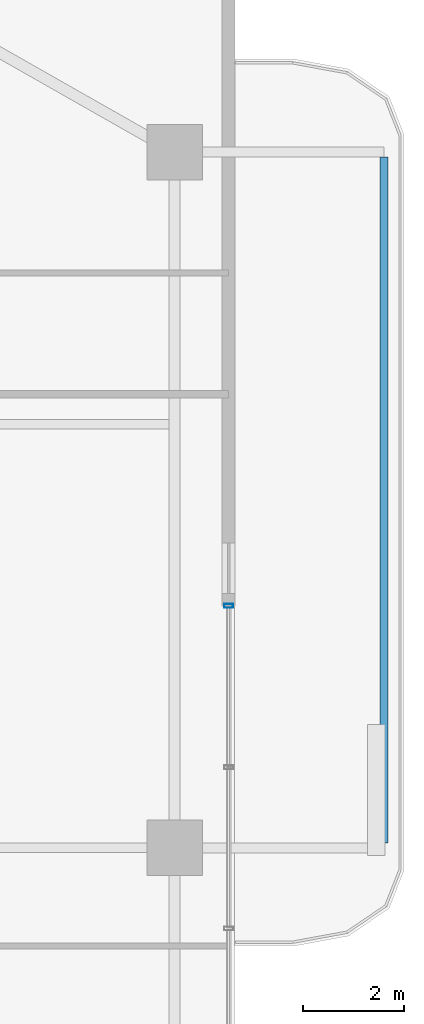
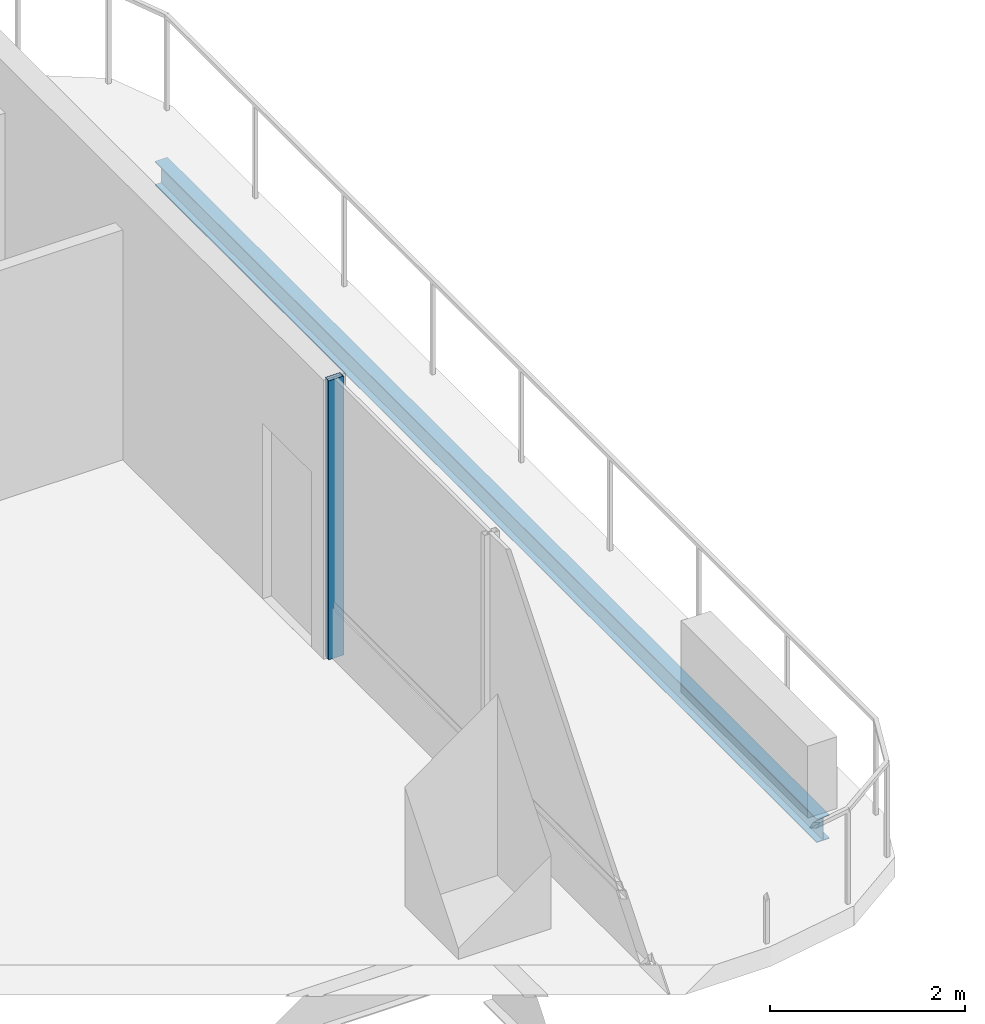
# One storey, part 13 of 24: 1 beam, 1 member, 1 element without a shape of its own.
"""IFC4 building model written with IfcOpenShell, lengths in metres."""

from ifc_helpers import new_model, si_unit, direction, frame, origin, origin_2d, place, context, subcontext, project, spatial, hollow_rectangle, i_section, extrude, material, layer, layer_set, material_profile, profile_set, type_object, element, aggregate, save


model = new_model("IFC4")

# Units and contexts
model_context = context("Model", 3, precision=1e-05, world=origin(), true_north=direction((0.0, 1.0)))
body_context = subcontext(model_context, "Body", "Model", "MODEL_VIEW")
ifc_project = project(units=[si_unit("LENGTHUNIT", "METRE"), si_unit("AREAUNIT", "SQUARE_METRE"), si_unit("VOLUMEUNIT", "CUBIC_METRE"), si_unit("PLANEANGLEUNIT", "RADIAN"), si_unit("MASSUNIT", "GRAM", prefix="KILO")], contexts=[model_context])

# Site, building, storey
site_placement = place(None, origin())
site = spatial("IfcSite", under=ifc_project, at=site_placement, CompositionType="ELEMENT")
building_placement = place(site_placement, origin())
building = spatial("IfcBuilding", under=site, at=building_placement, Name="Belovzor Exchange Tower", CompositionType="ELEMENT")
storey_placement = place(building_placement, frame((0.0, 0.0, 214.949951171875)))
storey = spatial("IfcBuildingStorey", under=building, at=storey_placement, Name="L53", CompositionType="ELEMENT", Elevation=214.949951171875)

# Beam
ifc_material_1 = material(Name="Steel S355", Category="steel")
ifc_material_profile_1 = material_profile(ifc_material_1, i_section(OverallWidth=0.14990234375, OverallDepth=0.300048828125, WebThickness=0.007080078125, FlangeThickness=0.0107421875, at=origin_2d()))
ifc_profile_set_1 = profile_set([ifc_material_profile_1], Name="Steel S355")
beam_type = type_object("IfcBeamType", Name="Planted Balcony Fascia Edge Beam IPE 300", PredefinedType="BEAM", material=ifc_profile_set_1)
beam_placement = place(storey_placement, frame((58.7529296875, 28.89990234375, -0.39990234375), z_axis=(0.0, 1.0, 0.0), x_axis=(-1.0, 0.0, 0.0)))
element("IfcBeam", 1, at=beam_placement, inside=storey, type_object=beam_type, Name="BC-300 Planted Balcony Fascia Edge Beam IPE 300", PredefinedType="BEAM", context=body_context, shape_type="SweptSolid", body=[
    extrude(i_section(OverallWidth=0.14990234375, OverallDepth=0.300048828125, WebThickness=0.007080078125, FlangeThickness=0.0107421875, at=origin_2d()), origin(), (0.0, 0.0, 1.0), 13.60009765625),
])

# Curtain wall, member
ifc_material_2 = material(Name="Anodised Aluminium Framing", Category="aluminium")
ifc_layer = layer(ifc_material_2, 0.179931640625)
ifc_layer_set = layer_set([ifc_layer], Name="Anodised Aluminium Framing")
curtain_wall_type = type_object("IfcCurtainWallType", Name="Recessed Loggia Low-Iron Triple-Glazed Curtain Wall", PredefinedType="NOTDEFINED", material=ifc_layer_set)
curtain_wall_placement = place(storey_placement, origin())
curtain_wall = element("IfcCurtainWall", 2, at=curtain_wall_placement, inside=storey, type_object=curtain_wall_type, Name="CW3 Recessed Loggia Low-Iron Triple-Glazed Curtain Wall L53", PredefinedType="NOTDEFINED")
ifc_material_3 = material(Name="Steel S355", Category="steel")
ifc_material_profile_2 = material_profile(ifc_material_3, hollow_rectangle(XDim=0.074951171875, YDim=0.179931640625, WallThickness=0.0048828125, at=origin_2d()))
ifc_profile_set_2 = profile_set([ifc_material_profile_2], Name="Steel S355")
member_type = type_object("IfcMemberType", Name="Thermally Broken Curtain Wall Mullion 180x75", PredefinedType="MULLION", material=ifc_profile_set_2)
member_placement = place(storey_placement, frame((55.669921875, 33.60009765625, 0.0), z_axis=(0.0, 0.0, 1.0), x_axis=(0.0, -1.0, 0.0)))
member = element("IfcMember", 3, at=member_placement, type_object=member_type, Name="CW-M180 Curtain Wall Mullion 1", PredefinedType="MULLION", context=body_context, shape_type="SweptSolid", body=[
    extrude(hollow_rectangle(XDim=0.074951171875, YDim=0.179931640625, WallThickness=0.0048828125, at=origin_2d()), origin(), (0.0, 0.0, 1.0), 3.5),
])
aggregate(curtain_wall, [member])

save(model, "model.ifc")
